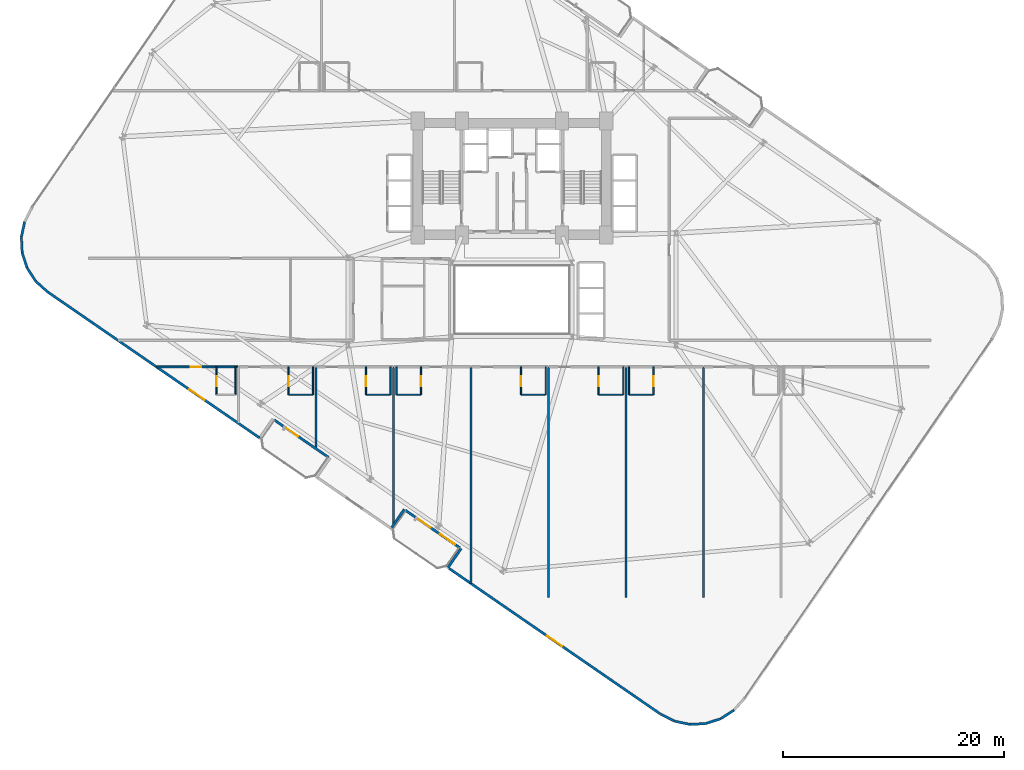
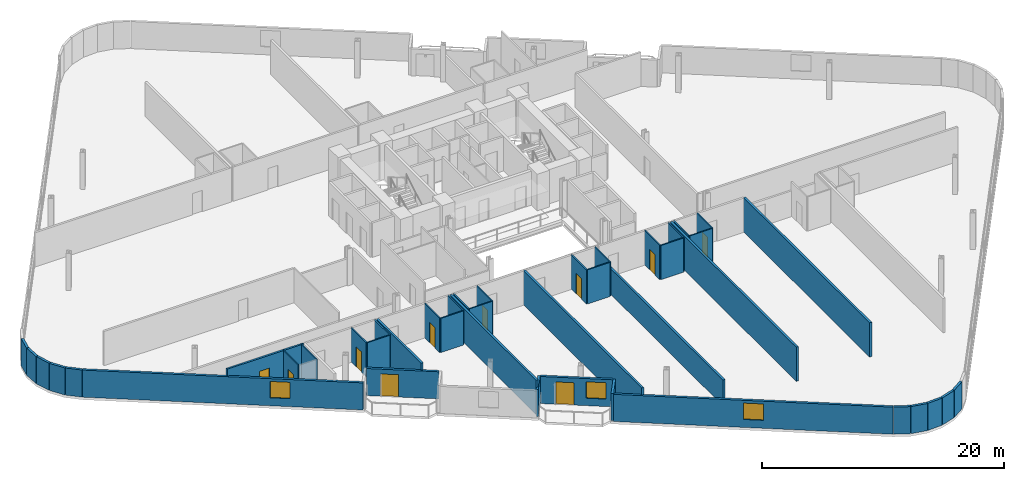
# One storey, part 17 of 25: 43 walls, 10 doors, 3 windows, 13 openings.
"""IFC4 building model written with IfcOpenShell, lengths in metres."""

from ifc_helpers import new_model, si_unit, direction, frame, frame_2d, origin, place, context, subcontext, project, spatial, rectangle, extrude, material, layer, layer_set, type_object, element, fill, save


model = new_model("IFC4")

# Units and contexts
model_context = context("Model", 3, precision=1e-05, world=origin(), true_north=direction((0.0, 1.0)))
body_context = subcontext(model_context, "Body", "Model", "MODEL_VIEW")
ifc_project = project(units=[si_unit("LENGTHUNIT", "METRE"), si_unit("AREAUNIT", "SQUARE_METRE"), si_unit("VOLUMEUNIT", "CUBIC_METRE"), si_unit("PLANEANGLEUNIT", "RADIAN"), si_unit("MASSUNIT", "GRAM", prefix="KILO")], contexts=[model_context])

# Site, building, storey
site_placement = place(None, origin())
site = spatial("IfcSite", under=ifc_project, at=site_placement, CompositionType="ELEMENT")
building_placement = place(site_placement, origin())
building = spatial("IfcBuilding", under=site, at=building_placement, Name="Varnelok Gate Tower", CompositionType="ELEMENT")
storey_placement = place(building_placement, frame((0.0, 0.0, 56.60009765625)))
storey = spatial("IfcBuildingStorey", under=building, at=storey_placement, Name="L13", CompositionType="ELEMENT", Elevation=56.60009765625)

# Wall, opening, door
ifc_material_1 = material(Name="Concrete C45/55", Category="concrete")
ifc_layer_1 = layer(ifc_material_1, 0.219970703125)
ifc_layer_set_1 = layer_set([ifc_layer_1], Name="Concrete C45/55")
wall_type_1 = type_object("IfcWallType", Name="EW-BALC-220", PredefinedType="SOLIDWALL", material=ifc_layer_set_1)
wall_1_placement = place(storey_placement, frame((22.642822265625, 8.667236328125, 0.0), z_axis=(0.0, 0.0, 1.0), x_axis=(-0.823534636215, 0.567265989598, 0.0)))
wall_1 = element("IfcWall", 1, at=wall_1_placement, inside=storey, type_object=wall_type_1, Name="L13 South Terrace Envelope Wall 1", PredefinedType="SOLIDWALL", context=body_context, shape_type="SweptSolid", body=[
    extrude(rectangle(XDim=6.0, YDim=0.219970703125, at=frame_2d((3.0, 0.0))), origin(), (0.0, 0.0, 1.0), 2.72998046875),
])
opening_1_placement = place(wall_1_placement, frame((3.360107421875, 0.0, 0.0)))
opening_1 = element("IfcOpeningElement", 2, at=opening_1_placement, cuts=wall_1, Name="Opening BD-1", PredefinedType="OPENING", context=body_context, shape_type="SweptSolid", body=[
    extrude(rectangle(XDim=1.5, YDim=2.25, at=frame_2d((0.75, 1.125))), frame((0.0, 0.119873046875, 0.0), z_axis=(0.0, -1.0, 0.0), x_axis=(1.0, 0.0, 0.0)), (0.0, 0.0, 1.0), 0.239990234375),
])
ifc_material_2 = material(Name="Anodized Aluminum Alloy 6063-T6", Category="aluminium")
door_type_1 = type_object("IfcDoorType", Name="DR-EXT-BALC1500", OperationType="NOTDEFINED", PredefinedType="DOOR", material=ifc_material_2)
door_1_placement = place(opening_1_placement, origin())
door_1 = element("IfcDoor", 3, at=door_1_placement, inside=storey, type_object=door_type_1, Name="L13 South Balcony Glazed Door 1", OperationType="SINGLE_SWING_RIGHT", OverallHeight=2.25, OverallWidth=1.5, PredefinedType="DOOR", context=body_context, shape_type="SweptSolid", body=[
    extrude(rectangle(XDim=1.5, YDim=2.25, at=frame_2d((0.75, 1.125))), frame((0.0, 0.02490234375, 0.0), z_axis=(0.0, -1.0, 0.0), x_axis=(1.0, 0.0, 0.0)), (0.0, 0.0, 1.0), 0.050048828125),
])
fill(opening_1, door_1)

# Wall, openings, door, window
wall_2_placement = place(storey_placement, frame((34.501708984375, 0.49853515625, 0.0), z_axis=(0.0, 0.0, 1.0), x_axis=(-0.823534636215, 0.567265989598, 0.0)))
wall_2 = element("IfcWall", 4, at=wall_2_placement, inside=storey, type_object=wall_type_1, Name="L13 South Terrace Envelope Wall 2", PredefinedType="SOLIDWALL", context=body_context, shape_type="SweptSolid", body=[
    extrude(rectangle(XDim=6.0, YDim=0.219970703125, at=frame_2d((3.0, 0.0))), origin(), (0.0, 0.0, 1.0), 2.72998046875),
])
opening_2_placement = place(wall_2_placement, frame((3.2119140625, 0.0, 0.0)))
opening_2 = element("IfcOpeningElement", 5, at=opening_2_placement, cuts=wall_2, Name="Opening BD-1", PredefinedType="OPENING", context=body_context, shape_type="SweptSolid", body=[
    extrude(rectangle(XDim=1.5, YDim=2.25, at=frame_2d((0.75, 1.125))), frame((0.0, 0.119873046875, 0.0), z_axis=(0.0, -1.0, 0.0), x_axis=(1.0, 0.0, 0.0)), (0.0, 0.0, 1.0), 0.239990234375),
])
opening_3_placement = place(wall_2_placement, frame((0.550048828125, 0.0, 0.75)))
opening_3 = element("IfcOpeningElement", 6, at=opening_3_placement, cuts=wall_2, Name="Opening WN3", PredefinedType="OPENING", context=body_context, shape_type="SweptSolid", body=[
    extrude(rectangle(XDim=1.64990234375, YDim=1.64990234375, at=frame_2d((0.824951171875, 0.824951171875))), frame((0.0, 0.119873046875, 0.0), z_axis=(0.0, -1.0, 0.0), x_axis=(1.0, 0.0, 0.0)), (0.0, 0.0, 1.0), 0.239990234375),
])
door_2_placement = place(opening_2_placement, origin())
door_2 = element("IfcDoor", 7, at=door_2_placement, inside=storey, type_object=door_type_1, Name="L13 South Balcony Glazed Door 2", OperationType="SINGLE_SWING_LEFT", OverallHeight=2.25, OverallWidth=1.5, PredefinedType="DOOR", context=body_context, shape_type="SweptSolid", body=[
    extrude(rectangle(XDim=1.5, YDim=2.25, at=frame_2d((0.75, 1.125))), frame((0.0, 0.02490234375, 0.0), z_axis=(0.0, -1.0, 0.0), x_axis=(1.0, 0.0, 0.0)), (0.0, 0.0, 1.0), 0.050048828125),
])
fill(opening_2, door_2)
ifc_material_3 = material(Name="Low-E Laminated Double Glazing IGU", Category="glass")
window_type = type_object("IfcWindowType", Name="WN-HTL-1650", PartitioningType="SINGLE_PANEL", PredefinedType="WINDOW", material=ifc_material_3)
window_1_placement = place(opening_3_placement, origin())
window_1 = element("IfcWindow", 8, at=window_1_placement, inside=storey, type_object=window_type, Name="L13 South Vision Window 2.1", OverallHeight=1.64990234375, OverallWidth=1.64990234375, PartitioningType="SINGLE_PANEL", PredefinedType="WINDOW", context=body_context, shape_type="SweptSolid", body=[
    extrude(rectangle(XDim=1.64990234375, YDim=1.64990234375, at=frame_2d((0.824951171875, 0.824951171875))), frame((0.0, 0.030029296875, 0.0), z_axis=(0.0, -1.0, 0.0), x_axis=(1.0, 0.0, 0.0)), (0.0, 0.0, 1.0), 0.06005859375),
])
fill(opening_3, window_1)

# Walls
for number, where, z_axis, x_axis, name in (
    (9, (-4.81396484375, 29.946533203125, 0.0), (0.0, 0.0, 1.0), (-0.208829011645, -0.977952168511, 0.0), "L13 Perimeter Facade Closure Wall 2"),
    (10, (-5.106201171875, 28.547119140625, 0.0), (0.0, 0.0, 1.0), (0.051254741739, -0.998685611917, 0.0), "L13 Perimeter Facade Closure Wall 3"),
    (11, (-5.026611328125, 27.1201171875, 0.0), (0.0, 0.0, 1.0), (0.308190297603, -0.95132472924, 0.0), "L13 Perimeter Facade Closure Wall 4"),
    (12, (-4.580078125, 25.76220703125, 0.0), (0.0, 0.0, 1.0), (0.543748195851, -0.839248413468, 0.0), "L13 Perimeter Facade Closure Wall 5"),
):
    element("IfcWall", number, at=place(storey_placement, frame(where, z_axis=z_axis, x_axis=x_axis)), inside=storey, type_object=wall_type_1, Name=name, PredefinedType="SOLIDWALL", context=body_context, shape_type="SweptSolid", body=[
        extrude(rectangle(XDim=1.4052734375, YDim=0.219970703125, at=frame_2d((0.70263671875, 0.0))), origin(), (0.0, 0.0, 1.0), 2.72998046875),
    ])
wall_3_placement = place(storey_placement, frame((-3.79736328125, 24.56591796875, 0.0), z_axis=(0.0, 0.0, 1.0), x_axis=(0.742537711837, -0.66980425984, 0.0)))
element("IfcWall", 13, at=wall_3_placement, inside=storey, type_object=wall_type_1, Name="L13 Perimeter Facade Closure Wall 6", PredefinedType="SOLIDWALL", context=body_context, shape_type="SweptSolid", body=[
    extrude(rectangle(XDim=1.4130859375, YDim=0.219970703125, at=frame_2d((0.70654296875, 0.0))), origin(), (0.0, 0.0, 1.0), 2.72998046875),
])

# Wall, opening, window
wall_4_placement = place(storey_placement, frame((-2.7275390625, 23.60498046875, 0.0), z_axis=(0.0, 0.0, 1.0), x_axis=(0.823535075462, -0.567265351915, 0.0)))
wall_4 = element("IfcWall", 14, at=wall_4_placement, inside=storey, type_object=wall_type_1, Name="L13 Perimeter Facade Closure Wall 7", PredefinedType="SOLIDWALL", context=body_context, shape_type="SweptSolid", body=[
    extrude(rectangle(XDim=23.2470703125, YDim=0.219970703125, at=frame_2d((11.62353515625, 0.0))), origin(), (0.0, 0.0, 1.0), 2.72998046875),
])
opening_4_placement = place(wall_4_placement, frame((15.550048828125, 0.0, 0.800048828125)))
opening_4 = element("IfcOpeningElement", 15, at=opening_4_placement, cuts=wall_4, Name="Opening WN3", PredefinedType="OPENING", context=body_context, shape_type="SweptSolid", body=[
    extrude(rectangle(XDim=1.64990234375, YDim=1.64990234375, at=frame_2d((0.824951171875, 0.824951171875))), frame((0.0, 0.119873046875, 0.0), z_axis=(0.0, -1.0, 0.0), x_axis=(1.0, 0.0, 0.0)), (0.0, 0.0, 1.0), 0.239990234375),
])
window_2_placement = place(opening_4_placement, origin())
window_2 = element("IfcWindow", 16, at=window_2_placement, inside=storey, type_object=window_type, Name="L13 Perimeter Vision Window 7", OverallHeight=1.64990234375, OverallWidth=1.64990234375, PartitioningType="SINGLE_PANEL", PredefinedType="WINDOW", context=body_context, shape_type="SweptSolid", body=[
    extrude(rectangle(XDim=1.64990234375, YDim=1.64990234375, at=frame_2d((0.824951171875, 0.824951171875))), frame((0.0, 0.030029296875, 0.0), z_axis=(0.0, -1.0, 0.0), x_axis=(1.0, 0.0, 0.0)), (0.0, 0.0, 1.0), 0.06005859375),
])
fill(opening_4, window_2)

# Walls
wall_5_placement = place(storey_placement, frame((28.34716796875, 2.351806640625, 0.0), z_axis=(0.0, 0.0, 1.0), x_axis=(0.567215821234, 0.823569190865, 0.0)))
element("IfcWall", 17, at=wall_5_placement, inside=storey, type_object=wall_type_1, Name="L13 Perimeter Facade Closure Wall 11", PredefinedType="SOLIDWALL", context=body_context, shape_type="SweptSolid", body=[
    extrude(rectangle(XDim=1.97509765625, YDim=0.219970703125, at=frame_2d((0.987548828125, 0.0))), origin(), (0.0, 0.0, 1.0), 2.72998046875),
])
wall_6_placement = place(storey_placement, frame((34.606201171875, 0.438720703125, 0.0), z_axis=(0.0, 0.0, 1.0), x_axis=(-0.567219383419, -0.823566737474, 0.0)))
element("IfcWall", 18, at=wall_6_placement, inside=storey, type_object=wall_type_1, Name="L13 Perimeter Facade Closure Wall 12", PredefinedType="SOLIDWALL", context=body_context, shape_type="SweptSolid", body=[
    extrude(rectangle(XDim=2.10009765625, YDim=0.219970703125, at=frame_2d((1.050048828125, 0.0))), origin(), (0.0, 0.0, 1.0), 2.72998046875),
])

# Wall, opening, window
wall_7_placement = place(storey_placement, frame((33.517822265625, -1.36181640625, 0.0), z_axis=(0.0, 0.0, 1.0), x_axis=(0.82353935489, -0.567259139148, 0.0)))
wall_7 = element("IfcWall", 19, at=wall_7_placement, inside=storey, type_object=wall_type_1, Name="L13 Perimeter Facade Closure Wall 13", PredefinedType="SOLIDWALL", context=body_context, shape_type="SweptSolid", body=[
    extrude(rectangle(XDim=23.14697265625, YDim=0.219970703125, at=frame_2d((11.573486328125, 0.0))), origin(), (0.0, 0.0, 1.0), 2.72998046875),
])
opening_5_placement = place(wall_7_placement, frame((10.74853515625, 0.0, 0.800048828125)))
opening_5 = element("IfcOpeningElement", 20, at=opening_5_placement, cuts=wall_7, Name="Opening WN3", PredefinedType="OPENING", context=body_context, shape_type="SweptSolid", body=[
    extrude(rectangle(XDim=1.64990234375, YDim=1.64990234375, at=frame_2d((0.824951171875, 0.824951171875))), frame((0.0, 0.119873046875, 0.0), z_axis=(0.0, -1.0, 0.0), x_axis=(1.0, 0.0, 0.0)), (0.0, 0.0, 1.0), 0.239990234375),
])
window_3_placement = place(opening_5_placement, origin())
window_3 = element("IfcWindow", 21, at=window_3_placement, inside=storey, type_object=window_type, Name="L13 Perimeter Vision Window 13", OverallHeight=1.64990234375, OverallWidth=1.64990234375, PartitioningType="SINGLE_PANEL", PredefinedType="WINDOW", context=body_context, shape_type="SweptSolid", body=[
    extrude(rectangle(XDim=1.64990234375, YDim=1.64990234375, at=frame_2d((0.824951171875, 0.824951171875))), frame((0.0, 0.030029296875, 0.0), z_axis=(0.0, -1.0, 0.0), x_axis=(1.0, 0.0, 0.0)), (0.0, 0.0, 1.0), 0.06005859375),
])
fill(opening_5, window_3)

# Walls
wall_8_placement = place(storey_placement, frame((52.602783203125, -14.503662109375, 0.0), z_axis=(0.0, 0.0, 1.0), x_axis=(0.89052335693, -0.45493752402, 0.0)))
element("IfcWall", 22, at=wall_8_placement, inside=storey, type_object=wall_type_1, Name="L13 Perimeter Facade Closure Wall 14", PredefinedType="SOLIDWALL", context=body_context, shape_type="SweptSolid", body=[
    extrude(rectangle(XDim=1.4130859375, YDim=0.219970703125, at=frame_2d((0.70654296875, 0.0))), origin(), (0.0, 0.0, 1.0), 2.72998046875),
])
for number, where, z_axis, x_axis, name in (
    (23, (53.8857421875, -15.15185546875, 0.0), (0.0, 0.0, 1.0), (0.977952168511, -0.208829011645, 0.0), "L13 Perimeter Facade Closure Wall 15"),
    (24, (55.284912109375, -15.444091796875, 0.0), (0.0, 0.0, 1.0), (0.998685611917, 0.051254741739, 0.0), "L13 Perimeter Facade Closure Wall 16"),
    (25, (56.712158203125, -15.364501953125, 0.0), (0.0, 0.0, 1.0), (0.95132472924, 0.308190297603, 0.0), "L13 Perimeter Facade Closure Wall 17"),
    (26, (58.070068359375, -14.91796875, 0.0), (0.0, 0.0, 1.0), (0.839248413468, 0.543748195851, 0.0), "L13 Perimeter Facade Closure Wall 18"),
):
    element("IfcWall", number, at=place(storey_placement, frame(where, z_axis=z_axis, x_axis=x_axis)), inside=storey, type_object=wall_type_1, Name=name, PredefinedType="SOLIDWALL", context=body_context, shape_type="SweptSolid", body=[
        extrude(rectangle(XDim=1.4052734375, YDim=0.219970703125, at=frame_2d((0.70263671875, 0.0))), origin(), (0.0, 0.0, 1.0), 2.72998046875),
    ])

# Wall, opening, door
ifc_material_4 = material(Name="Gypsum Plasterboard Acoustic Partition", Category="gypsum")
ifc_layer_2 = layer(ifc_material_4, 0.179931640625)
ifc_layer_set_2 = layer_set([ifc_layer_2], Name="Gypsum Plasterboard Acoustic Partition")
wall_type_2 = type_object("IfcWallType", Name="PW-CORR-180", PredefinedType="PARTITIONING", material=ifc_layer_set_2)
wall_9_placement = place(storey_placement, frame((7.114501953125, 16.85009765625, 0.0), z_axis=(0.0, 0.0, 1.0), x_axis=(1.0, 0.0, 0.0)))
wall_9 = element("IfcWall", 27, at=wall_9_placement, inside=storey, type_object=wall_type_2, Name="Interior Partition", PredefinedType="PARTITIONING", context=body_context, shape_type="SweptSolid", body=[
    extrude(rectangle(XDim=7.305419921875, YDim=0.179931640625, at=frame_2d((3.65283203125, 0.0))), origin(), (0.0, 0.0, 1.0), 3.449951171875),
])
opening_6_placement = place(wall_9_placement, frame((3.065673828125, 0.0, 0.0)))
opening_6 = element("IfcOpeningElement", 28, at=opening_6_placement, cuts=wall_9, Name="Opening D-HT", PredefinedType="OPENING", context=body_context, shape_type="SweptSolid", body=[
    extrude(rectangle(XDim=0.949951171875, YDim=2.14990234375, at=frame_2d((0.47509765625, 1.074951171875))), frame((0.0, 0.099853515625, 0.0), z_axis=(0.0, -1.0, 0.0), x_axis=(1.0, 0.0, 0.0)), (0.0, 0.0, 1.0), 0.199951171875),
])
ifc_material_5 = material(Name="Engineered Hardwood Timber", Category="wood")
door_type_2 = type_object("IfcDoorType", Name="DR-HTL-950", OperationType="NOTDEFINED", PredefinedType="DOOR", material=ifc_material_5)
door_3_placement = place(opening_6_placement, origin())
door_3 = element("IfcDoor", 29, at=door_3_placement, inside=storey, type_object=door_type_2, Name="L13 Guest Room 01 Entrance Door", OperationType="SINGLE_SWING_RIGHT", OverallHeight=2.14990234375, OverallWidth=0.949951171875, PredefinedType="DOOR", context=body_context, shape_type="SweptSolid", body=[
    extrude(rectangle(XDim=0.949951171875, YDim=2.14990234375, at=frame_2d((0.47509765625, 1.074951171875))), frame((0.0, 0.02490234375, 0.0), z_axis=(0.0, -1.0, 0.0), x_axis=(1.0, 0.0, 0.0)), (0.0, 0.0, 1.0), 0.050048828125),
])
fill(opening_6, door_3)

ifc_layer_3 = layer(ifc_material_4, 0.114990234375)
ifc_layer_set_3 = layer_set([ifc_layer_3], Name="Gypsum Plasterboard Acoustic Partition")
wall_type_3 = type_object("IfcWallType", Name="PW-ENS-125", PredefinedType="PARTITIONING", material=ifc_layer_set_3)
wall_10_placement = place(storey_placement, frame((12.510009765625, 14.330078125, 0.0), z_axis=(0.0, 0.0, 1.0), x_axis=(0.0, 1.0, 0.0)))
wall_10 = element("IfcWall", 30, at=wall_10_placement, inside=storey, type_object=wall_type_3, Name="Interior Partition", PredefinedType="PARTITIONING", context=body_context, shape_type="SweptSolid", body=[
    extrude(rectangle(XDim=2.52001953125, YDim=0.114990234375, at=frame_2d((1.260009765625, 0.0))), origin(), (0.0, 0.0, 1.0), 3.449951171875),
])
opening_7_placement = place(wall_10_placement, frame((0.760009765625, 0.0, 0.0)))
opening_7 = element("IfcOpeningElement", 31, at=opening_7_placement, cuts=wall_10, Name="Opening D-WC", PredefinedType="OPENING", context=body_context, shape_type="SweptSolid", body=[
    extrude(rectangle(XDim=0.89990234375, YDim=2.050048828125, at=frame_2d((0.449951171875, 1.02490234375))), frame((0.0, 0.0673828125, 0.0), z_axis=(0.0, -1.0, 0.0), x_axis=(1.0, 0.0, 0.0)), (0.0, 0.0, 1.0), 0.135009765625),
])
door_type_3 = type_object("IfcDoorType", Name="DR-BATH-900", OperationType="NOTDEFINED", PredefinedType="DOOR", material=ifc_material_5)
door_4_placement = place(opening_7_placement, origin())
door_4 = element("IfcDoor", 32, at=door_4_placement, inside=storey, type_object=door_type_3, Name="L13 Guest En-Suite 01 Door", OperationType="SINGLE_SWING_RIGHT", OverallHeight=2.050048828125, OverallWidth=0.89990234375, PredefinedType="DOOR", context=body_context, shape_type="SweptSolid", body=[
    extrude(rectangle(XDim=0.89990234375, YDim=2.050048828125, at=frame_2d((0.449951171875, 1.02490234375))), frame((0.0, 0.02490234375, 0.0), z_axis=(0.0, -1.0, 0.0), x_axis=(1.0, 0.0, 0.0)), (0.0, 0.0, 1.0), 0.050048828125),
])
fill(opening_7, door_4)

# Walls
wall_11_placement = place(storey_placement, frame((14.239990234375, 14.330078125, 0.0), z_axis=(0.0, 0.0, 1.0), x_axis=(0.0, 1.0, 0.0)))
element("IfcWall", 33, at=wall_11_placement, inside=storey, type_object=wall_type_3, Name="Interior Partition", PredefinedType="PARTITIONING", context=body_context, shape_type="SweptSolid", body=[
    extrude(rectangle(XDim=2.52001953125, YDim=0.114990234375, at=frame_2d((1.260009765625, 0.0))), origin(), (0.0, 0.0, 1.0), 3.449951171875),
])
wall_12_placement = place(storey_placement, frame((19.050048828125, 14.330078125, 0.0), z_axis=(0.0, 0.0, 1.0), x_axis=(1.0, 0.0, 0.0)))
element("IfcWall", 34, at=wall_12_placement, inside=storey, type_object=wall_type_3, Name="Interior Partition", PredefinedType="PARTITIONING", context=body_context, shape_type="SweptSolid", body=[
    extrude(rectangle(XDim=2.14990234375, YDim=0.114990234375, at=frame_2d((1.074951171875, 0.0))), origin(), (0.0, 0.0, 1.0), 3.449951171875),
])

# Wall, opening, door
wall_13_placement = place(storey_placement, frame((19.010009765625, 14.330078125, 0.0), z_axis=(0.0, 0.0, 1.0), x_axis=(0.0, 1.0, 0.0)))
wall_13 = element("IfcWall", 35, at=wall_13_placement, inside=storey, type_object=wall_type_3, Name="Interior Partition", PredefinedType="PARTITIONING", context=body_context, shape_type="SweptSolid", body=[
    extrude(rectangle(XDim=2.52001953125, YDim=0.114990234375, at=frame_2d((1.260009765625, 0.0))), origin(), (0.0, 0.0, 1.0), 3.449951171875),
])
opening_8_placement = place(wall_13_placement, frame((0.760009765625, 0.0, 0.0)))
opening_8 = element("IfcOpeningElement", 36, at=opening_8_placement, cuts=wall_13, Name="Opening D-WC", PredefinedType="OPENING", context=body_context, shape_type="SweptSolid", body=[
    extrude(rectangle(XDim=0.89990234375, YDim=2.050048828125, at=frame_2d((0.449951171875, 1.02490234375))), frame((0.0, 0.0673828125, 0.0), z_axis=(0.0, -1.0, 0.0), x_axis=(1.0, 0.0, 0.0)), (0.0, 0.0, 1.0), 0.135009765625),
])
door_5_placement = place(opening_8_placement, origin())
door_5 = element("IfcDoor", 37, at=door_5_placement, inside=storey, type_object=door_type_3, Name="L13 Guest En-Suite 02 Door", OperationType="SINGLE_SWING_RIGHT", OverallHeight=2.050048828125, OverallWidth=0.89990234375, PredefinedType="DOOR", context=body_context, shape_type="SweptSolid", body=[
    extrude(rectangle(XDim=0.89990234375, YDim=2.050048828125, at=frame_2d((0.449951171875, 1.02490234375))), frame((0.0, 0.02490234375, 0.0), z_axis=(0.0, -1.0, 0.0), x_axis=(1.0, 0.0, 0.0)), (0.0, 0.0, 1.0), 0.050048828125),
])
fill(opening_8, door_5)

# Walls
wall_14_placement = place(storey_placement, frame((21.239990234375, 14.330078125, 0.0), z_axis=(0.0, 0.0, 1.0), x_axis=(0.0, 1.0, 0.0)))
element("IfcWall", 38, at=wall_14_placement, inside=storey, type_object=wall_type_3, Name="Interior Partition", PredefinedType="PARTITIONING", context=body_context, shape_type="SweptSolid", body=[
    extrude(rectangle(XDim=2.52001953125, YDim=0.114990234375, at=frame_2d((1.260009765625, 0.0))), origin(), (0.0, 0.0, 1.0), 3.449951171875),
])
wall_15_placement = place(storey_placement, frame((26.050048828125, 14.330078125, 0.0), z_axis=(0.0, 0.0, 1.0), x_axis=(1.0, 0.0, 0.0)))
element("IfcWall", 39, at=wall_15_placement, inside=storey, type_object=wall_type_3, Name="Interior Partition", PredefinedType="PARTITIONING", context=body_context, shape_type="SweptSolid", body=[
    extrude(rectangle(XDim=2.14990234375, YDim=0.114990234375, at=frame_2d((1.074951171875, 0.0))), origin(), (0.0, 0.0, 1.0), 3.449951171875),
])

# Wall, opening, door
wall_16_placement = place(storey_placement, frame((26.010009765625, 14.330078125, 0.0), z_axis=(0.0, 0.0, 1.0), x_axis=(0.0, 1.0, 0.0)))
wall_16 = element("IfcWall", 40, at=wall_16_placement, inside=storey, type_object=wall_type_3, Name="Interior Partition", PredefinedType="PARTITIONING", context=body_context, shape_type="SweptSolid", body=[
    extrude(rectangle(XDim=2.52001953125, YDim=0.114990234375, at=frame_2d((1.260009765625, 0.0))), origin(), (0.0, 0.0, 1.0), 3.449951171875),
])
opening_9_placement = place(wall_16_placement, frame((0.760009765625, 0.0, 0.0)))
opening_9 = element("IfcOpeningElement", 41, at=opening_9_placement, cuts=wall_16, Name="Opening D-WC", PredefinedType="OPENING", context=body_context, shape_type="SweptSolid", body=[
    extrude(rectangle(XDim=0.89990234375, YDim=2.050048828125, at=frame_2d((0.449951171875, 1.02490234375))), frame((0.0, 0.0673828125, 0.0), z_axis=(0.0, -1.0, 0.0), x_axis=(1.0, 0.0, 0.0)), (0.0, 0.0, 1.0), 0.135009765625),
])
door_6_placement = place(opening_9_placement, origin())
door_6 = element("IfcDoor", 42, at=door_6_placement, inside=storey, type_object=door_type_3, Name="L13 Guest En-Suite 03 Door", OperationType="SINGLE_SWING_RIGHT", OverallHeight=2.050048828125, OverallWidth=0.89990234375, PredefinedType="DOOR", context=body_context, shape_type="SweptSolid", body=[
    extrude(rectangle(XDim=0.89990234375, YDim=2.050048828125, at=frame_2d((0.449951171875, 1.02490234375))), frame((0.0, 0.02490234375, 0.0), z_axis=(0.0, -1.0, 0.0), x_axis=(1.0, 0.0, 0.0)), (0.0, 0.0, 1.0), 0.050048828125),
])
fill(opening_9, door_6)

# Walls
wall_17_placement = place(storey_placement, frame((28.239990234375, 14.330078125, 0.0), z_axis=(0.0, 0.0, 1.0), x_axis=(0.0, 1.0, 0.0)))
element("IfcWall", 43, at=wall_17_placement, inside=storey, type_object=wall_type_3, Name="Interior Partition", PredefinedType="PARTITIONING", context=body_context, shape_type="SweptSolid", body=[
    extrude(rectangle(XDim=2.52001953125, YDim=0.114990234375, at=frame_2d((1.260009765625, 0.0))), origin(), (0.0, 0.0, 1.0), 3.449951171875),
])
wall_18_placement = place(storey_placement, frame((28.800048828125, 14.330078125, 0.0), z_axis=(0.0, 0.0, 1.0), x_axis=(1.0, 0.0, 0.0)))
element("IfcWall", 44, at=wall_18_placement, inside=storey, type_object=wall_type_3, Name="Interior Partition", PredefinedType="PARTITIONING", context=body_context, shape_type="SweptSolid", body=[
    extrude(rectangle(XDim=2.14990234375, YDim=0.114990234375, at=frame_2d((1.074951171875, 0.0))), origin(), (0.0, 0.0, 1.0), 3.449951171875),
])

# Wall, opening, door
wall_19_placement = place(storey_placement, frame((30.989990234375, 14.330078125, 0.0), z_axis=(0.0, 0.0, 1.0), x_axis=(0.0, 1.0, 0.0)))
wall_19 = element("IfcWall", 45, at=wall_19_placement, inside=storey, type_object=wall_type_3, Name="Interior Partition", PredefinedType="PARTITIONING", context=body_context, shape_type="SweptSolid", body=[
    extrude(rectangle(XDim=2.52001953125, YDim=0.114990234375, at=frame_2d((1.260009765625, 0.0))), origin(), (0.0, 0.0, 1.0), 3.449951171875),
])
opening_10_placement = place(wall_19_placement, frame((0.760009765625, 0.0, 0.0)))
opening_10 = element("IfcOpeningElement", 46, at=opening_10_placement, cuts=wall_19, Name="Opening D-WC", PredefinedType="OPENING", context=body_context, shape_type="SweptSolid", body=[
    extrude(rectangle(XDim=0.89990234375, YDim=2.050048828125, at=frame_2d((0.449951171875, 1.02490234375))), frame((0.0, 0.0673828125, 0.0), z_axis=(0.0, -1.0, 0.0), x_axis=(1.0, 0.0, 0.0)), (0.0, 0.0, 1.0), 0.135009765625),
])
door_7_placement = place(opening_10_placement, origin())
door_7 = element("IfcDoor", 47, at=door_7_placement, inside=storey, type_object=door_type_3, Name="L13 Guest En-Suite 04 Door", OperationType="SINGLE_SWING_LEFT", OverallHeight=2.050048828125, OverallWidth=0.89990234375, PredefinedType="DOOR", context=body_context, shape_type="SweptSolid", body=[
    extrude(rectangle(XDim=0.89990234375, YDim=2.050048828125, at=frame_2d((0.449951171875, 1.02490234375))), frame((0.0, 0.02490234375, 0.0), z_axis=(0.0, -1.0, 0.0), x_axis=(1.0, 0.0, 0.0)), (0.0, 0.0, 1.0), 0.050048828125),
])
fill(opening_10, door_7)

# Walls
wall_20_placement = place(storey_placement, frame((28.760009765625, 14.330078125, 0.0), z_axis=(0.0, 0.0, 1.0), x_axis=(0.0, 1.0, 0.0)))
element("IfcWall", 48, at=wall_20_placement, inside=storey, type_object=wall_type_3, Name="Interior Partition", PredefinedType="PARTITIONING", context=body_context, shape_type="SweptSolid", body=[
    extrude(rectangle(XDim=2.52001953125, YDim=0.114990234375, at=frame_2d((1.260009765625, 0.0))), origin(), (0.0, 0.0, 1.0), 3.449951171875),
])
wall_21_placement = place(storey_placement, frame((40.050048828125, 14.330078125, 0.0), z_axis=(0.0, 0.0, 1.0), x_axis=(1.0, 0.0, 0.0)))
element("IfcWall", 49, at=wall_21_placement, inside=storey, type_object=wall_type_3, Name="Interior Partition", PredefinedType="PARTITIONING", context=body_context, shape_type="SweptSolid", body=[
    extrude(rectangle(XDim=2.14990234375, YDim=0.114990234375, at=frame_2d((1.074951171875, 0.0))), origin(), (0.0, 0.0, 1.0), 3.449951171875),
])

# Wall, opening, door
wall_22_placement = place(storey_placement, frame((40.010009765625, 14.330078125, 0.0), z_axis=(0.0, 0.0, 1.0), x_axis=(0.0, 1.0, 0.0)))
wall_22 = element("IfcWall", 50, at=wall_22_placement, inside=storey, type_object=wall_type_3, Name="Interior Partition", PredefinedType="PARTITIONING", context=body_context, shape_type="SweptSolid", body=[
    extrude(rectangle(XDim=2.52001953125, YDim=0.114990234375, at=frame_2d((1.260009765625, 0.0))), origin(), (0.0, 0.0, 1.0), 3.449951171875),
])
opening_11_placement = place(wall_22_placement, frame((0.760009765625, 0.0, 0.0)))
opening_11 = element("IfcOpeningElement", 51, at=opening_11_placement, cuts=wall_22, Name="Opening D-WC", PredefinedType="OPENING", context=body_context, shape_type="SweptSolid", body=[
    extrude(rectangle(XDim=0.89990234375, YDim=2.050048828125, at=frame_2d((0.449951171875, 1.02490234375))), frame((0.0, 0.0673828125, 0.0), z_axis=(0.0, -1.0, 0.0), x_axis=(1.0, 0.0, 0.0)), (0.0, 0.0, 1.0), 0.135009765625),
])
door_8_placement = place(opening_11_placement, origin())
door_8 = element("IfcDoor", 52, at=door_8_placement, inside=storey, type_object=door_type_3, Name="L13 Guest En-Suite 05 Door", OperationType="SINGLE_SWING_RIGHT", OverallHeight=2.050048828125, OverallWidth=0.89990234375, PredefinedType="DOOR", context=body_context, shape_type="SweptSolid", body=[
    extrude(rectangle(XDim=0.89990234375, YDim=2.050048828125, at=frame_2d((0.449951171875, 1.02490234375))), frame((0.0, 0.02490234375, 0.0), z_axis=(0.0, -1.0, 0.0), x_axis=(1.0, 0.0, 0.0)), (0.0, 0.0, 1.0), 0.050048828125),
])
fill(opening_11, door_8)

# Walls
wall_23_placement = place(storey_placement, frame((42.239990234375, 14.330078125, 0.0), z_axis=(0.0, 0.0, 1.0), x_axis=(0.0, 1.0, 0.0)))
element("IfcWall", 53, at=wall_23_placement, inside=storey, type_object=wall_type_3, Name="Interior Partition", PredefinedType="PARTITIONING", context=body_context, shape_type="SweptSolid", body=[
    extrude(rectangle(XDim=2.52001953125, YDim=0.114990234375, at=frame_2d((1.260009765625, 0.0))), origin(), (0.0, 0.0, 1.0), 3.449951171875),
])
wall_24_placement = place(storey_placement, frame((47.050048828125, 14.330078125, 0.0), z_axis=(0.0, 0.0, 1.0), x_axis=(1.0, 0.0, 0.0)))
element("IfcWall", 54, at=wall_24_placement, inside=storey, type_object=wall_type_3, Name="Interior Partition", PredefinedType="PARTITIONING", context=body_context, shape_type="SweptSolid", body=[
    extrude(rectangle(XDim=2.14990234375, YDim=0.114990234375, at=frame_2d((1.074951171875, 0.0))), origin(), (0.0, 0.0, 1.0), 3.449951171875),
])

# Wall, opening, door
wall_25_placement = place(storey_placement, frame((47.010009765625, 14.330078125, 0.0), z_axis=(0.0, 0.0, 1.0), x_axis=(0.0, 1.0, 0.0)))
wall_25 = element("IfcWall", 55, at=wall_25_placement, inside=storey, type_object=wall_type_3, Name="Interior Partition", PredefinedType="PARTITIONING", context=body_context, shape_type="SweptSolid", body=[
    extrude(rectangle(XDim=2.52001953125, YDim=0.114990234375, at=frame_2d((1.260009765625, 0.0))), origin(), (0.0, 0.0, 1.0), 3.449951171875),
])
opening_12_placement = place(wall_25_placement, frame((0.760009765625, 0.0, 0.0)))
opening_12 = element("IfcOpeningElement", 56, at=opening_12_placement, cuts=wall_25, Name="Opening D-WC", PredefinedType="OPENING", context=body_context, shape_type="SweptSolid", body=[
    extrude(rectangle(XDim=0.89990234375, YDim=2.050048828125, at=frame_2d((0.449951171875, 1.02490234375))), frame((0.0, 0.0673828125, 0.0), z_axis=(0.0, -1.0, 0.0), x_axis=(1.0, 0.0, 0.0)), (0.0, 0.0, 1.0), 0.135009765625),
])
door_9_placement = place(opening_12_placement, origin())
door_9 = element("IfcDoor", 57, at=door_9_placement, inside=storey, type_object=door_type_3, Name="L13 Guest En-Suite 06 Door", OperationType="SINGLE_SWING_RIGHT", OverallHeight=2.050048828125, OverallWidth=0.89990234375, PredefinedType="DOOR", context=body_context, shape_type="SweptSolid", body=[
    extrude(rectangle(XDim=0.89990234375, YDim=2.050048828125, at=frame_2d((0.449951171875, 1.02490234375))), frame((0.0, 0.02490234375, 0.0), z_axis=(0.0, -1.0, 0.0), x_axis=(1.0, 0.0, 0.0)), (0.0, 0.0, 1.0), 0.050048828125),
])
fill(opening_12, door_9)

# Walls
wall_26_placement = place(storey_placement, frame((49.239990234375, 14.330078125, 0.0), z_axis=(0.0, 0.0, 1.0), x_axis=(0.0, 1.0, 0.0)))
element("IfcWall", 58, at=wall_26_placement, inside=storey, type_object=wall_type_3, Name="Interior Partition", PredefinedType="PARTITIONING", context=body_context, shape_type="SweptSolid", body=[
    extrude(rectangle(XDim=2.52001953125, YDim=0.114990234375, at=frame_2d((1.260009765625, 0.0))), origin(), (0.0, 0.0, 1.0), 3.449951171875),
])
wall_27_placement = place(storey_placement, frame((49.800048828125, 14.330078125, 0.0), z_axis=(0.0, 0.0, 1.0), x_axis=(1.0, 0.0, 0.0)))
element("IfcWall", 59, at=wall_27_placement, inside=storey, type_object=wall_type_3, Name="Interior Partition", PredefinedType="PARTITIONING", context=body_context, shape_type="SweptSolid", body=[
    extrude(rectangle(XDim=2.14990234375, YDim=0.114990234375, at=frame_2d((1.074951171875, 0.0))), origin(), (0.0, 0.0, 1.0), 3.449951171875),
])

# Wall, opening, door
wall_28_placement = place(storey_placement, frame((51.989990234375, 14.330078125, 0.0), z_axis=(0.0, 0.0, 1.0), x_axis=(0.0, 1.0, 0.0)))
wall_28 = element("IfcWall", 60, at=wall_28_placement, inside=storey, type_object=wall_type_3, Name="Interior Partition", PredefinedType="PARTITIONING", context=body_context, shape_type="SweptSolid", body=[
    extrude(rectangle(XDim=2.52001953125, YDim=0.114990234375, at=frame_2d((1.260009765625, 0.0))), origin(), (0.0, 0.0, 1.0), 3.449951171875),
])
opening_13_placement = place(wall_28_placement, frame((0.760009765625, 0.0, 0.0)))
opening_13 = element("IfcOpeningElement", 61, at=opening_13_placement, cuts=wall_28, Name="Opening D-WC", PredefinedType="OPENING", context=body_context, shape_type="SweptSolid", body=[
    extrude(rectangle(XDim=0.89990234375, YDim=2.050048828125, at=frame_2d((0.449951171875, 1.02490234375))), frame((0.0, 0.0673828125, 0.0), z_axis=(0.0, -1.0, 0.0), x_axis=(1.0, 0.0, 0.0)), (0.0, 0.0, 1.0), 0.135009765625),
])
door_10_placement = place(opening_13_placement, origin())
door_10 = element("IfcDoor", 62, at=door_10_placement, inside=storey, type_object=door_type_3, Name="L13 Guest En-Suite 07 Door", OperationType="SINGLE_SWING_LEFT", OverallHeight=2.050048828125, OverallWidth=0.89990234375, PredefinedType="DOOR", context=body_context, shape_type="SweptSolid", body=[
    extrude(rectangle(XDim=0.89990234375, YDim=2.050048828125, at=frame_2d((0.449951171875, 1.02490234375))), frame((0.0, 0.02490234375, 0.0), z_axis=(0.0, -1.0, 0.0), x_axis=(1.0, 0.0, 0.0)), (0.0, 0.0, 1.0), 0.050048828125),
])
fill(opening_13, door_10)

# Walls
wall_29_placement = place(storey_placement, frame((49.760009765625, 14.330078125, 0.0), z_axis=(0.0, 0.0, 1.0), x_axis=(0.0, 1.0, 0.0)))
element("IfcWall", 63, at=wall_29_placement, inside=storey, type_object=wall_type_3, Name="Interior Partition", PredefinedType="PARTITIONING", context=body_context, shape_type="SweptSolid", body=[
    extrude(rectangle(XDim=2.52001953125, YDim=0.114990234375, at=frame_2d((1.260009765625, 0.0))), origin(), (0.0, 0.0, 1.0), 3.449951171875),
])
ifc_layer_4 = layer(ifc_material_4, 0.205078125)
ifc_layer_set_4 = layer_set([ifc_layer_4], Name="Gypsum Plasterboard Acoustic Partition")
wall_type_4 = type_object("IfcWallType", Name="PW-PARTY-200", PredefinedType="PARTITIONING", material=ifc_layer_set_4)
wall_30_placement = place(storey_placement, frame((21.5, 9.490966796875, 0.0), z_axis=(0.0, 0.0, 1.0), x_axis=(0.0, 1.0, 0.0)))
element("IfcWall", 64, at=wall_30_placement, inside=storey, type_object=wall_type_4, Name="L13 South Party Wall 2", PredefinedType="PARTITIONING", context=body_context, shape_type="SweptSolid", body=[
    extrude(rectangle(XDim=7.359130859375, YDim=0.205078125, at=frame_2d((3.6796875, 0.0))), origin(), (0.0, 0.0, 1.0), 3.449951171875),
])
wall_31_placement = place(storey_placement, frame((28.5, 2.609130859375, 0.0), z_axis=(0.0, 0.0, 1.0), x_axis=(0.0, 1.0, 0.0)))
element("IfcWall", 65, at=wall_31_placement, inside=storey, type_object=wall_type_4, Name="L13 South Party Wall 3", PredefinedType="PARTITIONING", context=body_context, shape_type="SweptSolid", body=[
    extrude(rectangle(XDim=14.240966796875, YDim=0.205078125, at=frame_2d((7.12060546875, 0.0))), origin(), (0.0, 0.0, 1.0), 3.449951171875),
])
wall_32_placement = place(storey_placement, frame((35.5, -2.70263671875, 0.0), z_axis=(0.0, 0.0, 1.0), x_axis=(0.0, 1.0, 0.0)))
element("IfcWall", 66, at=wall_32_placement, inside=storey, type_object=wall_type_4, Name="L13 South Party Wall 4", PredefinedType="PARTITIONING", context=body_context, shape_type="SweptSolid", body=[
    extrude(rectangle(XDim=19.552734375, YDim=0.205078125, at=frame_2d((9.7763671875, 0.0))), origin(), (0.0, 0.0, 1.0), 3.449951171875),
])
wall_33_placement = place(storey_placement, frame((42.5, -4.0, 0.0), z_axis=(0.0, 0.0, 1.0), x_axis=(0.0, 1.0, 0.0)))
element("IfcWall", 67, at=wall_33_placement, inside=storey, type_object=wall_type_4, Name="L13 South Party Wall 5", PredefinedType="PARTITIONING", context=body_context, shape_type="SweptSolid", body=[
    extrude(rectangle(XDim=20.85009765625, YDim=0.205078125, at=frame_2d((10.425048828125, 0.0))), origin(), (0.0, 0.0, 1.0), 2.579833984375),
])
for number, where, z_axis, x_axis, name in (
    (68, (49.5, -4.0, 0.0), (0.0, 0.0, 1.0), (0.0, 1.0, 0.0), "L13 South Party Wall 6"),
    (69, (56.5, -4.0, 0.0), (0.0, 0.0, 1.0), (0.0, 1.0, 0.0), "L13 South Party Wall 7"),
):
    element("IfcWall", number, at=place(storey_placement, frame(where, z_axis=z_axis, x_axis=x_axis)), inside=storey, type_object=wall_type_4, Name=name, PredefinedType="PARTITIONING", context=body_context, shape_type="SweptSolid", body=[
        extrude(rectangle(XDim=20.85009765625, YDim=0.205078125, at=frame_2d((10.425048828125, 0.0))), origin(), (0.0, 0.0, 1.0), 3.449951171875),
    ])

save(model, "model.ifc")
